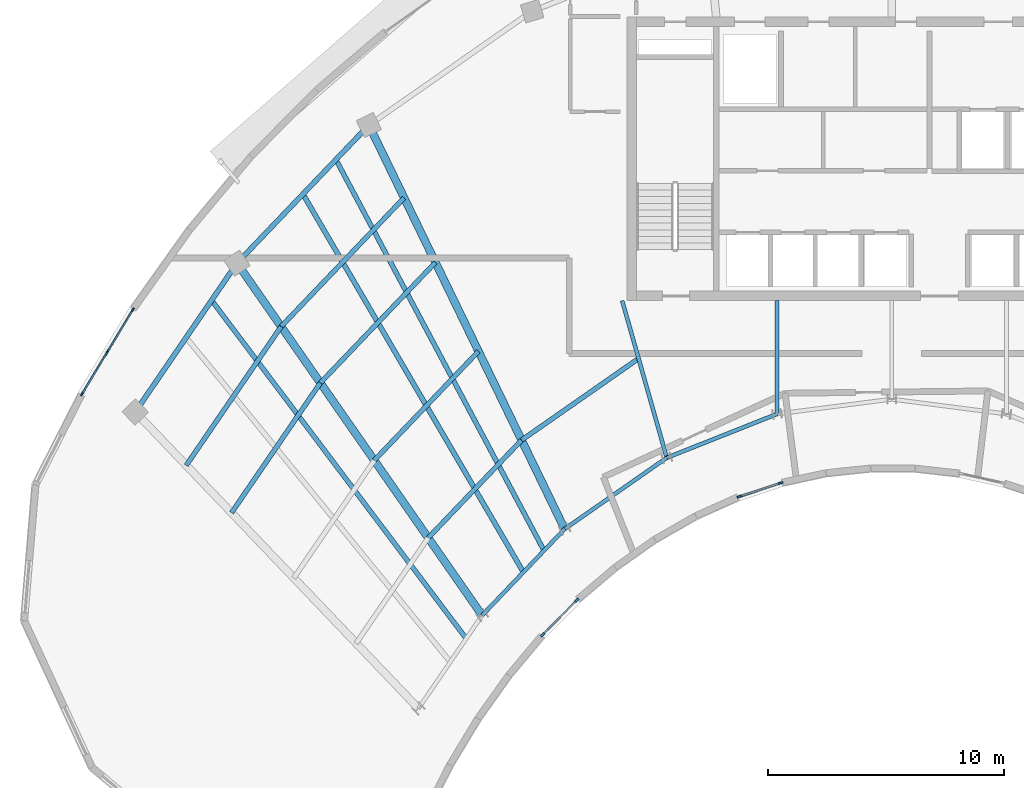
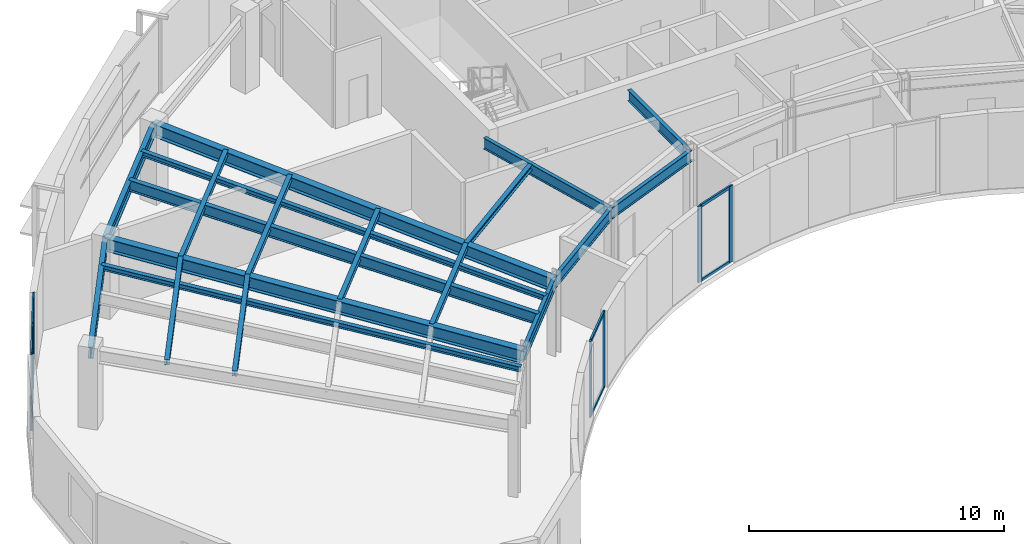
# One storey, part 2 of 12: 19 beams, 17 members, 3 elements without a shape of their own.
"""IFC4 building model written with IfcOpenShell, lengths in metres."""

from ifc_helpers import new_model, si_unit, direction, frame, origin, origin_2d, place, context, subcontext, project, spatial, rectangle, i_section, extrude, source, transform, mapped, material, layer, layer_set, material_profile, profile_set, type_object, type_shapes, element, aggregate, save


model = new_model("IFC4")

# Units and contexts
model_context = context("Model", 3, precision=1e-05, world=origin(), true_north=direction((0.0, 1.0)))
body_context = subcontext(model_context, "Body", "Model", "MODEL_VIEW")
ifc_project = project(units=[si_unit("LENGTHUNIT", "METRE"), si_unit("AREAUNIT", "SQUARE_METRE"), si_unit("VOLUMEUNIT", "CUBIC_METRE"), si_unit("PLANEANGLEUNIT", "RADIAN"), si_unit("MASSUNIT", "GRAM", prefix="KILO")], contexts=[model_context])

# Site, building, storey
site_placement = place(None, origin())
site = spatial("IfcSite", under=ifc_project, at=site_placement, CompositionType="ELEMENT")
building_placement = place(site_placement, origin())
building = spatial("IfcBuilding", under=site, at=building_placement, Name="Breltana Convention Tower", CompositionType="ELEMENT")
storey_placement = place(building_placement, frame((0.0, 0.0, 264.0)))
storey = spatial("IfcBuildingStorey", under=building, at=storey_placement, Name="L64", CompositionType="ELEMENT", Elevation=264.0)

# Beams
ifc_material_1 = material(Name="Steel ASTM A992 Grade 50", Category="steel")
ifc_material_profile_1 = material_profile(ifc_material_1, i_section(OverallWidth=0.166015625, OverallDepth=0.534912109375, WebThickness=0.01025390625, FlangeThickness=0.0166015625, at=origin_2d()), Name="W21X57")
ifc_profile_set_1 = profile_set([ifc_material_profile_1], Name="Steel ASTM A992 Grade 50")
beam_type_1 = type_object("IfcBeamType", Name="BM-BM-W21X57", PredefinedType="BEAM", material=ifc_profile_set_1)
shared_shape_1 = source(origin(), body_context, "Body", "SweptSolid", [
    extrude(i_section(OverallWidth=0.166015625, OverallDepth=0.534912109375, WebThickness=0.01025390625, FlangeThickness=0.0166015625, at=origin_2d()), origin(), (0.0, 0.0, 1.0), 6.904541015625),
])
type_shapes(beam_type_1, [shared_shape_1])
beam_1_placement = place(storey_placement, frame((36.60009765625, 60.199951171875, 3.382568359375), z_axis=(0.273006781054, -0.962012108811, 0.0), x_axis=(0.962012108811, 0.273006781054, 0.0)))
element("IfcBeam", 1, at=beam_1_placement, inside=storey, type_object=beam_type_1, Name="L64 South Core Tie Girder R04", PredefinedType="BEAM", context=body_context, shape_type="MappedRepresentation", body=[
    mapped(shared_shape_1, transform((0.0, 0.0, 0.0), scale=1.0)),
])
shared_shape_2 = source(origin(), body_context, "Body", "SweptSolid", [
    extrude(i_section(OverallWidth=0.166015625, OverallDepth=0.534912109375, WebThickness=0.01025390625, FlangeThickness=0.0166015625, at=origin_2d()), origin(), (0.0, 0.0, 1.0), 4.789306640625),
])
beam_2_placement = place(storey_placement, frame((43.153564453125, 60.199951171875, 3.382568359375), z_axis=(0.0, -1.0, 0.0), x_axis=(1.0, 0.0, 0.0)))
element("IfcBeam", 2, at=beam_2_placement, inside=storey, type_object=beam_type_1, Name="L64 South Core Tie Girder R05", PredefinedType="BEAM", context=body_context, shape_type="MappedRepresentation", body=[
    mapped(shared_shape_2, transform((0.0, 0.0, 0.0), scale=1.0)),
])
shared_shape_3 = source(origin(), body_context, "Body", "SweptSolid", [
    extrude(i_section(OverallWidth=0.166015625, OverallDepth=0.534912109375, WebThickness=0.01025390625, FlangeThickness=0.0166015625, at=origin_2d()), origin(), (0.0, 0.0, 1.0), 5.05126953125),
])
beam_3_placement = place(storey_placement, frame((30.67724609375, 46.892333984375, 3.382568359375), z_axis=(0.690729753845, 0.7231129975, 0.0), x_axis=(-0.7231129975, 0.690729753845, 0.0)))
element("IfcBeam", 3, at=beam_3_placement, inside=storey, type_object=beam_type_1, Name="L64 Inner Ring Beam 02", PredefinedType="BEAM", context=body_context, shape_type="MappedRepresentation", body=[
    mapped(shared_shape_3, transform((0.0, 0.0, 0.0), scale=1.0)),
])
shared_shape_4 = source(origin(), body_context, "Body", "SweptSolid", [
    extrude(i_section(OverallWidth=0.166015625, OverallDepth=0.534912109375, WebThickness=0.01025390625, FlangeThickness=0.0166015625, at=origin_2d()), origin(), (0.0, 0.0, 1.0), 5.265869140625),
])
beam_4_placement = place(storey_placement, frame((34.166259765625, 50.544921875, 3.382568359375), z_axis=(0.820167429517, 0.572123577176, 0.0), x_axis=(-0.572123577176, 0.820167429517, 0.0)))
element("IfcBeam", 4, at=beam_4_placement, inside=storey, type_object=beam_type_1, Name="L64 Inner Ring Beam 03", PredefinedType="BEAM", context=body_context, shape_type="MappedRepresentation", body=[
    mapped(shared_shape_4, transform((0.0, 0.0, 0.0), scale=1.0)),
])
shared_shape_5 = source(origin(), body_context, "Body", "SweptSolid", [
    extrude(i_section(OverallWidth=0.166015625, OverallDepth=0.534912109375, WebThickness=0.01025390625, FlangeThickness=0.0166015625, at=origin_2d()), origin(), (0.0, 0.0, 1.0), 5.022705078125),
])
beam_5_placement = place(storey_placement, frame((38.485107421875, 53.5576171875, 3.382568359375), z_axis=(0.929458966248, 0.368925507469, 0.0), x_axis=(-0.368925507469, 0.929458966248, 0.0)))
element("IfcBeam", 5, at=beam_5_placement, inside=storey, type_object=beam_type_1, Name="L64 Inner Ring Beam 04", PredefinedType="BEAM", context=body_context, shape_type="MappedRepresentation", body=[
    mapped(shared_shape_5, transform((0.0, 0.0, 0.0), scale=1.0)),
])
ifc_material_profile_2 = material_profile(ifc_material_1, i_section(OverallWidth=0.201904296875, OverallDepth=0.2470703125, WebThickness=0.00732421875, FlangeThickness=0.010986328125, at=origin_2d()), Name="W10X33")
ifc_profile_set_2 = profile_set([ifc_material_profile_2], Name="Steel ASTM A992 Grade 50")
beam_type_2 = type_object("IfcBeamType", Name="BM-JSG-11", PredefinedType="JOIST", material=ifc_profile_set_2)
shared_shape_6 = source(origin(), body_context, "Body", "SweptSolid", [
    extrude(i_section(OverallWidth=0.201904296875, OverallDepth=0.2470703125, WebThickness=0.00732421875, FlangeThickness=0.010986328125, at=origin_2d()), origin(), (0.0, 0.0, 1.0), 6.654541015625),
])
beam_6_placement = place(storey_placement, frame((20.0791015625, 51.23095703125, 3.526611328125), z_axis=(0.564482668195, 0.82544492082, 0.0), x_axis=(-0.82544492082, 0.564482668195, 0.0)))
element("IfcBeam", 6, at=beam_6_placement, inside=storey, type_object=beam_type_2, Name="L64 Composite Floor Joist 01.3", PredefinedType="JOIST", context=body_context, shape_type="MappedRepresentation", body=[
    mapped(shared_shape_6, transform((0.0, 0.0, 0.0), scale=1.0)),
])
shared_shape_7 = source(origin(), body_context, "Body", "SweptSolid", [
    extrude(i_section(OverallWidth=0.201904296875, OverallDepth=0.2470703125, WebThickness=0.00732421875, FlangeThickness=0.010986328125, at=origin_2d()), origin(), (0.0, 0.0, 1.0), 7.111328125),
])
beam_7_placement = place(storey_placement, frame((18.162841796875, 53.2373046875, 3.526611328125), z_axis=(0.564446356178, 0.825469751715, 0.0), x_axis=(-0.825469751715, 0.564446356178, 0.0)))
element("IfcBeam", 7, at=beam_7_placement, inside=storey, type_object=beam_type_2, Name="L64 Composite Floor Joist 01.4", PredefinedType="JOIST", context=body_context, shape_type="MappedRepresentation", body=[
    mapped(shared_shape_7, transform((0.0, 0.0, 0.0), scale=1.0)),
])
shared_shape_8 = source(origin(), body_context, "Body", "SweptSolid", [
    extrude(i_section(OverallWidth=0.201904296875, OverallDepth=0.2470703125, WebThickness=0.00732421875, FlangeThickness=0.010986328125, at=origin_2d()), origin(), (0.0, 0.0, 1.0), 17.9072265625),
])
beam_8_placement = place(storey_placement, frame((30.00390625, 45.907958984375, 3.526611328125), z_axis=(-0.601382105028, 0.798961553363, 0.0), x_axis=(-0.798961553363, -0.601382105028, 0.0)))
element("IfcBeam", 8, at=beam_8_placement, inside=storey, type_object=beam_type_2, Name="L64 Quarter-Bay Radial Trimmer 01", PredefinedType="JOIST", context=body_context, shape_type="MappedRepresentation", body=[
    mapped(shared_shape_8, transform((0.0, 0.0, 0.0), scale=1.0)),
])
shared_shape_9 = source(origin(), body_context, "Body", "SweptSolid", [
    extrude(i_section(OverallWidth=0.201904296875, OverallDepth=0.2470703125, WebThickness=0.00732421875, FlangeThickness=0.010986328125, at=origin_2d()), origin(), (0.0, 0.0, 1.0), 5.716064453125),
])
beam_9_placement = place(storey_placement, frame((28.396484375, 50.169677734375, 3.526611328125), z_axis=(0.690756060045, 0.723087868458, 0.0), x_axis=(-0.723087868458, 0.690756060045, 0.0)))
element("IfcBeam", 9, at=beam_9_placement, inside=storey, type_object=beam_type_2, Name="L64 Composite Floor Joist 02.1", PredefinedType="JOIST", context=body_context, shape_type="MappedRepresentation", body=[
    mapped(shared_shape_9, transform((0.0, 0.0, 0.0), scale=1.0)),
])
shared_shape_10 = source(origin(), body_context, "Body", "SweptSolid", [
    extrude(i_section(OverallWidth=0.201904296875, OverallDepth=0.2470703125, WebThickness=0.00732421875, FlangeThickness=0.010986328125, at=origin_2d()), origin(), (0.0, 0.0, 1.0), 6.381103515625),
])
beam_10_placement = place(storey_placement, frame((26.115966796875, 53.44677734375, 3.526611328125), z_axis=(0.690737768889, 0.723105341309, 0.0), x_axis=(-0.723105341309, 0.690737768889, 0.0)))
element("IfcBeam", 10, at=beam_10_placement, inside=storey, type_object=beam_type_2, Name="L64 Composite Floor Joist 02.2", PredefinedType="JOIST", context=body_context, shape_type="MappedRepresentation", body=[
    mapped(shared_shape_10, transform((0.0, 0.0, 0.0), scale=1.0)),
])
shared_shape_11 = source(origin(), body_context, "Body", "SweptSolid", [
    extrude(i_section(OverallWidth=0.201904296875, OverallDepth=0.2470703125, WebThickness=0.00732421875, FlangeThickness=0.010986328125, at=origin_2d()), origin(), (0.0, 0.0, 1.0), 7.046142578125),
])
beam_11_placement = place(storey_placement, frame((23.83544921875, 56.723876953125, 3.526611328125), z_axis=(0.690722929904, 0.723119515782, 0.0), x_axis=(-0.723119515782, 0.690722929904, 0.0)))
element("IfcBeam", 11, at=beam_11_placement, inside=storey, type_object=beam_type_2, Name="L64 Composite Floor Joist 02.3", PredefinedType="JOIST", context=body_context, shape_type="MappedRepresentation", body=[
    mapped(shared_shape_11, transform((0.0, 0.0, 0.0), scale=1.0)),
])
shared_shape_12 = source(origin(), body_context, "Body", "SweptSolid", [
    extrude(i_section(OverallWidth=0.201904296875, OverallDepth=0.2470703125, WebThickness=0.00732421875, FlangeThickness=0.010986328125, at=origin_2d()), origin(), (0.0, 0.0, 1.0), 7.529541015625),
])
beam_12_placement = place(storey_placement, frame((22.1767578125, 59.107421875, 3.526611328125), z_axis=(0.690725562031, 0.723117001568, 0.0), x_axis=(-0.723117001568, 0.690725562031, 0.0)))
element("IfcBeam", 12, at=beam_12_placement, inside=storey, type_object=beam_type_2, Name="L64 Composite Floor Joist 02.4", PredefinedType="JOIST", context=body_context, shape_type="MappedRepresentation", body=[
    mapped(shared_shape_12, transform((0.0, 0.0, 0.0), scale=1.0)),
])
ifc_material_profile_3 = material_profile(ifc_material_1, i_section(OverallWidth=0.2099609375, OverallDepth=0.537109375, WebThickness=0.010986328125, FlangeThickness=0.017333984375, at=origin_2d()), Name="W21X68")
ifc_profile_set_3 = profile_set([ifc_material_profile_3], Name="Steel ASTM A992 Grade 50")
beam_type_3 = type_object("IfcBeamType", Name="BM-JSG-04", PredefinedType="JOIST", material=ifc_profile_set_3)
shared_shape_13 = source(origin(), body_context, "Body", "SweptSolid", [
    extrude(i_section(OverallWidth=0.2099609375, OverallDepth=0.537109375, WebThickness=0.010986328125, FlangeThickness=0.017333984375, at=origin_2d()), origin(), (0.0, 0.0, 1.0), 18.50830078125),
])
beam_13_placement = place(storey_placement, frame((32.421630859375, 48.71875, 3.381591796875), z_axis=(-0.50368319637, 0.863888440537, 0.0), x_axis=(-0.863888440537, -0.50368319637, 0.0)))
element("IfcBeam", 13, at=beam_13_placement, inside=storey, type_object=beam_type_3, Name="L64 Mid-Bay Radial Trimmer 02", PredefinedType="JOIST", context=body_context, shape_type="MappedRepresentation", body=[
    mapped(shared_shape_13, transform((0.0, 0.0, 0.0), scale=1.0)),
])
shared_shape_14 = source(origin(), body_context, "Body", "SweptSolid", [
    extrude(i_section(OverallWidth=0.201904296875, OverallDepth=0.2470703125, WebThickness=0.00732421875, FlangeThickness=0.010986328125, at=origin_2d()), origin(), (0.0, 0.0, 1.0), 18.731689453125),
])
beam_14_placement = place(storey_placement, frame((33.2939453125, 49.6318359375, 3.526611328125), z_axis=(-0.469820250451, 0.882762104004, 0.0), x_axis=(-0.882762104004, -0.469820250451, 0.0)))
element("IfcBeam", 14, at=beam_14_placement, inside=storey, type_object=beam_type_2, Name="L64 Quarter-Bay Radial Trimmer 02", PredefinedType="JOIST", context=body_context, shape_type="MappedRepresentation", body=[
    mapped(shared_shape_14, transform((0.0, 0.0, 0.0), scale=1.0)),
])
shared_shape_15 = source(origin(), body_context, "Body", "SweptSolid", [
    extrude(i_section(OverallWidth=0.201904296875, OverallDepth=0.2470703125, WebThickness=0.00732421875, FlangeThickness=0.010986328125, at=origin_2d()), origin(), (0.0, 0.0, 1.0), 5.959228515625),
])
beam_15_placement = place(storey_placement, frame((32.344970703125, 54.302978515625, 3.526611328125), z_axis=(0.820160485262, 0.572133531979, 0.0), x_axis=(-0.572133531979, 0.820160485262, 0.0)))
element("IfcBeam", 15, at=beam_15_placement, inside=storey, type_object=beam_type_2, Name="L64 Composite Floor Joist 03.1", PredefinedType="JOIST", context=body_context, shape_type="MappedRepresentation", body=[
    mapped(shared_shape_15, transform((0.0, 0.0, 0.0), scale=1.0)),
])
ifc_material_profile_4 = material_profile(ifc_material_1, i_section(OverallWidth=0.326904296875, OverallDepth=0.6220703125, WebThickness=0.015380859375, FlangeThickness=0.0244140625, at=origin_2d()), Name="W24X131")
ifc_profile_set_4 = profile_set([ifc_material_profile_4], Name="Steel ASTM A992 Grade 50")
beam_type_4 = type_object("IfcBeamType", Name="BM-RG-W24X131", PredefinedType="USERDEFINED", material=ifc_profile_set_4)
shared_shape_16 = source(origin(), body_context, "Body", "SweptSolid", [
    extrude(i_section(OverallWidth=0.326904296875, OverallDepth=0.6220703125, WebThickness=0.015380859375, FlangeThickness=0.0244140625, at=origin_2d()), origin(), (0.0, 0.0, 1.0), 18.1484375),
])
beam_16_placement = place(storey_placement, frame((30.67724609375, 46.892333984375, 3.339111328125), z_axis=(-0.571207556098, 0.820805657788, 0.0), x_axis=(-0.820805657788, -0.571207556098, 0.0)))
element("IfcBeam", 16, at=beam_16_placement, inside=storey, type_object=beam_type_4, Name="L64 Radial Floor Girder R02", ObjectType="GIRDER", PredefinedType="USERDEFINED", context=body_context, shape_type="MappedRepresentation", body=[
    mapped(shared_shape_16, transform((0.0, 0.0, 0.0), scale=1.0)),
])
shared_shape_17 = source(origin(), body_context, "Body", "SweptSolid", [
    extrude(i_section(OverallWidth=0.326904296875, OverallDepth=0.6220703125, WebThickness=0.015380859375, FlangeThickness=0.0244140625, at=origin_2d()), origin(), (0.0, 0.0, 1.0), 18.982421875),
])
beam_17_placement = place(storey_placement, frame((34.166259765625, 50.544921875, 3.339111328125), z_axis=(-0.436118560343, 0.89988921614, 0.0), x_axis=(-0.89988921614, -0.436118560343, 0.0)))
element("IfcBeam", 17, at=beam_17_placement, inside=storey, type_object=beam_type_4, Name="L64 Radial Floor Girder R03", ObjectType="GIRDER", PredefinedType="USERDEFINED", context=body_context, shape_type="MappedRepresentation", body=[
    mapped(shared_shape_17, transform((0.0, 0.0, 0.0), scale=1.0)),
])
ifc_material_profile_5 = material_profile(ifc_material_1, i_section(OverallWidth=0.214111328125, OverallDepth=0.549072265625, WebThickness=0.0146484375, FlangeThickness=0.023681640625, at=origin_2d()), Name="W21X93")
ifc_profile_set_5 = profile_set([ifc_material_profile_5], Name="Steel ASTM A992 Grade 50")
beam_type_5 = type_object("IfcBeamType", Name="BM-SP-W21X93", PredefinedType="SPANDREL", material=ifc_profile_set_5)
shared_shape_18 = source(origin(), body_context, "Body", "SweptSolid", [
    extrude(i_section(OverallWidth=0.214111328125, OverallDepth=0.549072265625, WebThickness=0.0146484375, FlangeThickness=0.023681640625, at=origin_2d()), origin(), (0.0, 0.0, 1.0), 7.625),
])
type_shapes(beam_type_5, [shared_shape_18])
beam_18_placement = place(storey_placement, frame((16.0068359375, 55.494384765625, 3.37548828125), z_axis=(0.564452031902, 0.825465870694, 0.0), x_axis=(-0.825465870694, 0.564452031902, 0.0)))
element("IfcBeam", 18, at=beam_18_placement, inside=storey, type_object=beam_type_5, Name="L64 Outer Spandrel Beam 01", PredefinedType="SPANDREL", context=body_context, shape_type="MappedRepresentation", body=[
    mapped(shared_shape_18, transform((0.0, 0.0, 0.0), scale=1.0)),
])
shared_shape_19 = source(origin(), body_context, "Body", "SweptSolid", [
    extrude(i_section(OverallWidth=0.214111328125, OverallDepth=0.549072265625, WebThickness=0.0146484375, FlangeThickness=0.023681640625, at=origin_2d()), origin(), (0.0, 0.0, 1.0), 8.073974609375),
])
beam_19_placement = place(storey_placement, frame((20.310791015625, 61.78857421875, 3.37548828125), z_axis=(0.69072885448, 0.723113856588, 0.0), x_axis=(-0.723113856588, 0.69072885448, 0.0)))
element("IfcBeam", 19, at=beam_19_placement, inside=storey, type_object=beam_type_5, Name="L64 Outer Spandrel Beam 02", PredefinedType="SPANDREL", context=body_context, shape_type="MappedRepresentation", body=[
    mapped(shared_shape_19, transform((0.0, 0.0, 0.0), scale=1.0)),
])

# Curtain wall, members
ifc_material_2 = material(Name="Aluminium Anodised Bronze Frame", Category="aluminium")
ifc_layer_1 = layer(ifc_material_2, 0.18994140625, Name="Aluminium Anodised Bronze Frame")
ifc_layer_set_1 = layer_set([ifc_layer_1], Name="Aluminium Anodised Bronze Frame")
curtain_wall_type_1 = type_object("IfcCurtainWallType", Name="CW-SYS-1", PredefinedType="NOTDEFINED", material=ifc_layer_set_1)
curtain_wall_1_placement = place(storey_placement, origin())
curtain_wall_1 = element("IfcCurtainWall", 20, at=curtain_wall_1_placement, inside=storey, type_object=curtain_wall_type_1, Name="L64 inner south-court glazing 4", PredefinedType="NOTDEFINED")
ifc_material_3 = material(Name="Aluminium Anodised Bronze", Category="aluminium")
ifc_material_profile_6 = material_profile(ifc_material_3, rectangle(XDim=0.080078125, YDim=0.199951171875, at=origin_2d()), Name="CWM-80X200")
ifc_profile_set_6 = profile_set([ifc_material_profile_6], Name="Aluminium Anodised Bronze")
member_type_1 = type_object("IfcMemberType", Name="CWM-200", PredefinedType="MULLION", material=ifc_profile_set_6)
shared_shape_20 = source(origin(), body_context, "Body", "SweptSolid", [
    extrude(rectangle(XDim=0.080078125, YDim=0.199951171875, at=origin_2d()), origin(), (0.0, 0.0, 1.0), 3.64990234375),
])
member_1_placement = place(storey_placement, frame((43.30029296875, 52.490966796875, 0.0), z_axis=(0.0, 0.0, 1.0), x_axis=(0.31315767808, -0.949701147025, 0.0)))
member_1 = element("IfcMember", 21, at=member_1_placement, type_object=member_type_1, Name="CW-01 mullion 1", PredefinedType="MULLION", context=body_context, shape_type="MappedRepresentation", body=[
    mapped(shared_shape_20, transform((0.0, 0.0, 0.0), scale=1.0)),
])
member_2_placement = place(storey_placement, frame((41.556396484375, 51.916015625, 0.0), z_axis=(0.0, 0.0, 1.0), x_axis=(0.31315767808, -0.949701147025, 0.0)))
member_2 = element("IfcMember", 22, at=member_2_placement, type_object=member_type_1, Name="CW-01 mullion 2", PredefinedType="MULLION", context=body_context, shape_type="MappedRepresentation", body=[
    mapped(shared_shape_20, transform((0.0, 0.0, 0.0), scale=1.0)),
])

curtain_wall_2_placement = place(storey_placement, origin())
curtain_wall_2 = element("IfcCurtainWall", 23, at=curtain_wall_2_placement, inside=storey, type_object=curtain_wall_type_1, Name="L64 inner south-court glazing 5", PredefinedType="NOTDEFINED")
member_3_placement = place(storey_placement, frame((34.677001953125, 47.53125, 0.0), z_axis=(0.0, 0.0, 1.0), x_axis=(0.711486765066, -0.702699497037, 0.0)))
member_3 = element("IfcMember", 24, at=member_3_placement, type_object=member_type_1, Name="CW-01 mullion 1", PredefinedType="MULLION", context=body_context, shape_type="MappedRepresentation", body=[
    mapped(shared_shape_20, transform((0.0, 0.0, 0.0), scale=1.0)),
])
member_4_placement = place(storey_placement, frame((33.23779296875, 46.07421875, 0.0), z_axis=(0.0, 0.0, 1.0), x_axis=(0.711486765066, -0.702699497037, 0.0)))
member_4 = element("IfcMember", 25, at=member_4_placement, type_object=member_type_1, Name="CW-01 mullion 2", PredefinedType="MULLION", context=body_context, shape_type="MappedRepresentation", body=[
    mapped(shared_shape_20, transform((0.0, 0.0, 0.0), scale=1.0)),
])

ifc_layer_2 = layer(ifc_material_2, 0.22998046875, Name="Aluminium Anodised Bronze Frame")
ifc_layer_set_2 = layer_set([ifc_layer_2], Name="Aluminium Anodised Bronze Frame")
curtain_wall_type_2 = type_object("IfcCurtainWallType", Name="CW-SYS-5", PredefinedType="NOTDEFINED", material=ifc_layer_set_2)
curtain_wall_3_placement = place(storey_placement, origin())
curtain_wall_3 = element("IfcCurtainWall", 26, at=curtain_wall_3_placement, inside=storey, type_object=curtain_wall_type_2, Name="L64 outer double-skin inner glazing 1", PredefinedType="NOTDEFINED")
ifc_material_profile_7 = material_profile(ifc_material_3, rectangle(XDim=0.070068359375, YDim=0.175048828125, at=origin_2d()), Name="CWM-70X175")
ifc_profile_set_7 = profile_set([ifc_material_profile_7], Name="Aluminium Anodised Bronze")
member_type_2 = type_object("IfcMemberType", Name="CWM-175", PredefinedType="MULLION", material=ifc_profile_set_7)
shared_shape_21 = source(origin(), body_context, "Body", "SweptSolid", [
    extrude(rectangle(XDim=0.070068359375, YDim=0.175048828125, at=origin_2d()), origin(), (0.0, 0.0, 1.0), 3.64990234375),
])
member_5_placement = place(storey_placement, frame((13.757080078125, 56.25732421875, 0.0), z_axis=(0.0, 0.0, 1.0), x_axis=(-0.85606662011, 0.516865496947, 0.0)))
member_5 = element("IfcMember", 27, at=member_5_placement, type_object=member_type_2, Name="CW-05 mullion 1", PredefinedType="MULLION", context=body_context, shape_type="MappedRepresentation", body=[
    mapped(shared_shape_21, transform((0.0, 0.0, 0.0), scale=1.0)),
])
member_6_placement = place(storey_placement, frame((14.830078125, 58.03466796875, 0.0), z_axis=(0.0, 0.0, 1.0), x_axis=(-0.85606662011, 0.516865496947, 0.0)))
member_6 = element("IfcMember", 28, at=member_6_placement, type_object=member_type_2, Name="CW-05 mullion 2", PredefinedType="MULLION", context=body_context, shape_type="MappedRepresentation", body=[
    mapped(shared_shape_21, transform((0.0, 0.0, 0.0), scale=1.0)),
])
member_7_placement = place(storey_placement, frame((15.9033203125, 59.812255859375, 0.0), z_axis=(0.0, 0.0, 1.0), x_axis=(-0.85606662011, 0.516865496947, 0.0)))
member_7 = element("IfcMember", 29, at=member_7_placement, type_object=member_type_2, Name="CW-05 mullion 3", PredefinedType="MULLION", context=body_context, shape_type="MappedRepresentation", body=[
    mapped(shared_shape_21, transform((0.0, 0.0, 0.0), scale=1.0)),
])
ifc_material_profile_8 = material_profile(ifc_material_3, rectangle(XDim=0.070068359375, YDim=0.1201171875, at=origin_2d()), Name="CWT-70X120")
ifc_profile_set_8 = profile_set([ifc_material_profile_8], Name="Aluminium Anodised Bronze")
member_type_3 = type_object("IfcMemberType", Name="CWT-120", PredefinedType="USERDEFINED", material=ifc_profile_set_8)
shared_shape_22 = source(origin(), body_context, "Body", "SweptSolid", [
    extrude(rectangle(XDim=0.070068359375, YDim=0.1201171875, at=origin_2d()), origin(), (0.0, 0.0, 1.0), 2.00634765625),
])
member_8_placement = place(storey_placement, frame((13.775146484375, 56.287109375, 0.034912109375), z_axis=(0.516820301281, 0.856093906172, 0.0), x_axis=(-0.856093906172, 0.516820301281, 0.0)))
member_8 = element("IfcMember", 30, at=member_8_placement, type_object=member_type_3, Name="CW-05 transom 1.1", ObjectType="TRANSOM", PredefinedType="USERDEFINED", context=body_context, shape_type="MappedRepresentation", body=[
    mapped(shared_shape_22, transform((0.0, 0.0, 0.0), scale=1.0)),
])
member_9_placement = place(storey_placement, frame((13.775146484375, 56.287109375, 2.37255859375), z_axis=(0.516820301281, 0.856093906172, 0.0), x_axis=(-0.856093906172, 0.516820301281, 0.0)))
member_9 = element("IfcMember", 31, at=member_9_placement, type_object=member_type_3, Name="CW-05 transom 1.2", ObjectType="TRANSOM", PredefinedType="USERDEFINED", context=body_context, shape_type="MappedRepresentation", body=[
    mapped(shared_shape_22, transform((0.0, 0.0, 0.0), scale=1.0)),
])
member_10_placement = place(storey_placement, frame((13.775146484375, 56.287109375, 3.614990234375), z_axis=(0.516820301281, 0.856093906172, 0.0), x_axis=(-0.856093906172, 0.516820301281, 0.0)))
member_10 = element("IfcMember", 32, at=member_10_placement, type_object=member_type_3, Name="CW-05 transom 1.3", ObjectType="TRANSOM", PredefinedType="USERDEFINED", context=body_context, shape_type="MappedRepresentation", body=[
    mapped(shared_shape_22, transform((0.0, 0.0, 0.0), scale=1.0)),
])
member_11_placement = place(storey_placement, frame((14.84814453125, 58.064697265625, 0.034912109375), z_axis=(0.516909479571, 0.856040063273, 0.0), x_axis=(-0.856040063273, 0.516909479571, 0.0)))
member_11 = element("IfcMember", 33, at=member_11_placement, type_object=member_type_3, Name="CW-05 transom 2.1", ObjectType="TRANSOM", PredefinedType="USERDEFINED", context=body_context, shape_type="MappedRepresentation", body=[
    mapped(shared_shape_22, transform((0.0, 0.0, 0.0), scale=1.0)),
])
member_12_placement = place(storey_placement, frame((14.84814453125, 58.064697265625, 2.37255859375), z_axis=(0.516909479571, 0.856040063273, 0.0), x_axis=(-0.856040063273, 0.516909479571, 0.0)))
member_12 = element("IfcMember", 34, at=member_12_placement, type_object=member_type_3, Name="CW-05 transom 2.2", ObjectType="TRANSOM", PredefinedType="USERDEFINED", context=body_context, shape_type="MappedRepresentation", body=[
    mapped(shared_shape_22, transform((0.0, 0.0, 0.0), scale=1.0)),
])
member_13_placement = place(storey_placement, frame((14.84814453125, 58.064697265625, 3.614990234375), z_axis=(0.516909479571, 0.856040063273, 0.0), x_axis=(-0.856040063273, 0.516909479571, 0.0)))
member_13 = element("IfcMember", 35, at=member_13_placement, type_object=member_type_3, Name="CW-05 transom 2.3", ObjectType="TRANSOM", PredefinedType="USERDEFINED", context=body_context, shape_type="MappedRepresentation", body=[
    mapped(shared_shape_22, transform((0.0, 0.0, 0.0), scale=1.0)),
])
aggregate(curtain_wall_3, [member_5, member_6, member_7, member_8, member_9, member_10, member_11, member_12, member_13])

# Member
ifc_material_profile_9 = material_profile(ifc_material_3, rectangle(XDim=0.080078125, YDim=0.139892578125, at=origin_2d()), Name="CWT-80X140")
ifc_profile_set_9 = profile_set([ifc_material_profile_9], Name="Aluminium Anodised Bronze")
member_type_4 = type_object("IfcMemberType", Name="CWT-140", PredefinedType="USERDEFINED", material=ifc_profile_set_9)
shared_shape_23 = source(origin(), body_context, "Body", "SweptSolid", [
    extrude(rectangle(XDim=0.080078125, YDim=0.139892578125, at=origin_2d()), origin(), (0.0, 0.0, 1.0), 1.75634765625),
])
member_14_placement = place(storey_placement, frame((43.26220703125, 52.478515625, 0.0400390625), z_axis=(-0.949693161931, -0.313181893125, 0.0), x_axis=(0.313181893125, -0.949693161931, 0.0)))
member_14 = element("IfcMember", 36, at=member_14_placement, type_object=member_type_4, Name="CW-01 transom 1.1", ObjectType="TRANSOM", PredefinedType="USERDEFINED", context=body_context, shape_type="MappedRepresentation", body=[
    mapped(shared_shape_23, transform((0.0, 0.0, 0.0), scale=1.0)),
])

member_15_placement = place(storey_placement, frame((43.26220703125, 52.478515625, 3.610107421875), z_axis=(-0.949693161931, -0.313181893125, 0.0), x_axis=(0.313181893125, -0.949693161931, 0.0)))
member_15 = element("IfcMember", 37, at=member_15_placement, type_object=member_type_4, Name="CW-01 transom 1.2", ObjectType="TRANSOM", PredefinedType="USERDEFINED", context=body_context, shape_type="MappedRepresentation", body=[
    mapped(shared_shape_23, transform((0.0, 0.0, 0.0), scale=1.0)),
])

aggregate(curtain_wall_1, [member_1, member_2, member_14, member_15])

shared_shape_24 = source(origin(), body_context, "Body", "SweptSolid", [
    extrude(rectangle(XDim=0.080078125, YDim=0.139892578125, at=origin_2d()), origin(), (0.0, 0.0, 1.0), 1.968017578125),
])
member_16_placement = place(storey_placement, frame((34.648681640625, 47.5029296875, 0.0400390625), z_axis=(-0.702626830151, -0.711558527144, 0.0), x_axis=(0.711558527144, -0.702626830151, 0.0)))
member_16 = element("IfcMember", 38, at=member_16_placement, type_object=member_type_4, Name="CW-01 transom 1.1", ObjectType="TRANSOM", PredefinedType="USERDEFINED", context=body_context, shape_type="MappedRepresentation", body=[
    mapped(shared_shape_24, transform((0.0, 0.0, 0.0), scale=1.0)),
])

member_17_placement = place(storey_placement, frame((34.648681640625, 47.5029296875, 3.610107421875), z_axis=(-0.702626830151, -0.711558527144, 0.0), x_axis=(0.711558527144, -0.702626830151, 0.0)))
member_17 = element("IfcMember", 39, at=member_17_placement, type_object=member_type_4, Name="CW-01 transom 1.2", ObjectType="TRANSOM", PredefinedType="USERDEFINED", context=body_context, shape_type="MappedRepresentation", body=[
    mapped(shared_shape_24, transform((0.0, 0.0, 0.0), scale=1.0)),
])

aggregate(curtain_wall_2, [member_3, member_4, member_16, member_17])

save(model, "model.ifc")
